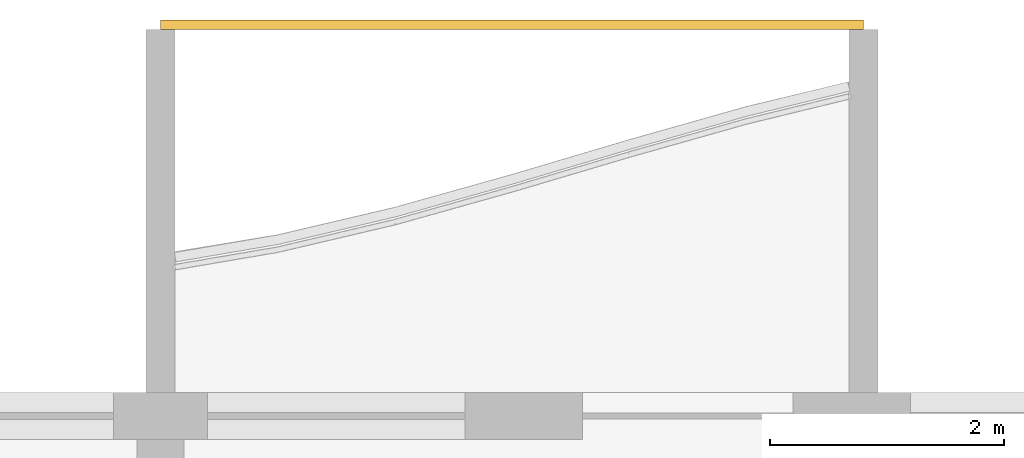
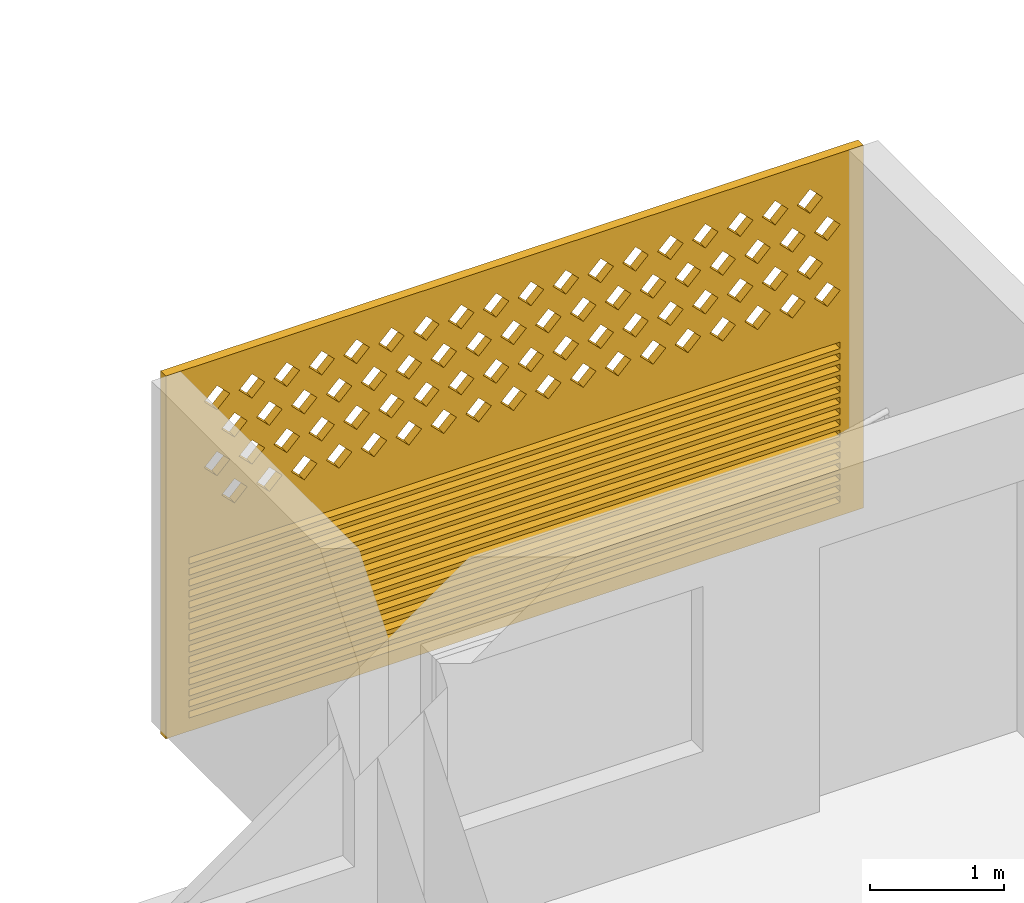
# One storey, part 27 of 40: 1 covering.
"""IFC4 building model written with IfcOpenShell, lengths in metres."""

from ifc_helpers import new_model, si_unit, direction, frame, origin, place, context, subcontext, project, spatial, polyline, outline, extrude, source, transform, mapped, material, material_profile, profile_set, type_object, element, save


model = new_model("IFC4")

# Units and contexts
model_context = context("Model", 3, precision=1e-05, world=origin(), true_north=direction((0.0, 1.0)))
body_context = subcontext(model_context, "Body", "Model", "MODEL_VIEW")
ifc_project = project(units=[si_unit("LENGTHUNIT", "METRE"), si_unit("AREAUNIT", "SQUARE_METRE"), si_unit("VOLUMEUNIT", "CUBIC_METRE"), si_unit("PLANEANGLEUNIT", "RADIAN"), si_unit("MASSUNIT", "GRAM", prefix="KILO")], contexts=[model_context])

# Site, building, storey
site_placement = place(None, origin())
site = spatial("IfcSite", under=ifc_project, at=site_placement, CompositionType="ELEMENT")
building_placement = place(site_placement, origin())
building = spatial("IfcBuilding", under=site, at=building_placement, Name="Poui Terraces", CompositionType="ELEMENT")
storey_placement = place(building_placement, frame((0.0, 0.0, 39.89990234375)))
storey = spatial("IfcBuildingStorey", under=building, at=storey_placement, Name="L10", CompositionType="ELEMENT", Elevation=39.89990234375)

# Covering
ifc_material = material(Name="Terracotta screen", Category="masonry")
ifc_material_profile = material_profile(ifc_material, outline(polyline([(-3.0, -1.64990234375), (3.0, -1.64990234375), (3.0, 1.64990234375), (-3.0, 1.64990234375), (-3.0, -1.64990234375)]), holes=[polyline([(-2.800048828125, 0.39990234375), (-2.68994140625, 0.2900390625), (-2.580078125, 0.39990234375), (-2.68994140625, 0.510009765625), (-2.800048828125, 0.39990234375)]), polyline([(-2.5, 0.39990234375), (-2.389892578125, 0.2900390625), (-2.280029296875, 0.39990234375), (-2.389892578125, 0.510009765625), (-2.5, 0.39990234375)]), polyline([(-2.199951171875, 0.39990234375), (-2.090087890625, 0.2900390625), (-1.97998046875, 0.39990234375), (-2.090087890625, 0.510009765625), (-2.199951171875, 0.39990234375)]), polyline([(-1.89990234375, 0.39990234375), (-1.7900390625, 0.2900390625), (-1.679931640625, 0.39990234375), (-1.7900390625, 0.510009765625), (-1.89990234375, 0.39990234375)]), polyline([(-1.60009765625, 0.39990234375), (-1.489990234375, 0.2900390625), (-1.3798828125, 0.39990234375), (-1.489990234375, 0.510009765625), (-1.60009765625, 0.39990234375)]), polyline([(-1.300048828125, 0.39990234375), (-1.18994140625, 0.2900390625), (-1.080078125, 0.39990234375), (-1.18994140625, 0.510009765625), (-1.300048828125, 0.39990234375)]), polyline([(-1.0, 0.39990234375), (-0.889892578125, 0.2900390625), (-0.780029296875, 0.39990234375), (-0.889892578125, 0.510009765625), (-1.0, 0.39990234375)]), polyline([(-0.699951171875, 0.39990234375), (-0.590087890625, 0.2900390625), (-0.47998046875, 0.39990234375), (-0.590087890625, 0.510009765625), (-0.699951171875, 0.39990234375)]), polyline([(-0.39990234375, 0.39990234375), (-0.2900390625, 0.2900390625), (-0.179931640625, 0.39990234375), (-0.2900390625, 0.510009765625), (-0.39990234375, 0.39990234375)]), polyline([(-0.10009765625, 0.39990234375), (0.010009765625, 0.2900390625), (0.1201171875, 0.39990234375), (0.010009765625, 0.510009765625), (-0.10009765625, 0.39990234375)]), polyline([(0.199951171875, 0.39990234375), (0.31005859375, 0.2900390625), (0.419921875, 0.39990234375), (0.31005859375, 0.510009765625), (0.199951171875, 0.39990234375)]), polyline([(0.5, 0.39990234375), (0.610107421875, 0.2900390625), (0.719970703125, 0.39990234375), (0.610107421875, 0.510009765625), (0.5, 0.39990234375)]), polyline([(0.800048828125, 0.39990234375), (0.909912109375, 0.2900390625), (1.02001953125, 0.39990234375), (0.909912109375, 0.510009765625), (0.800048828125, 0.39990234375)]), polyline([(1.10009765625, 0.39990234375), (1.2099609375, 0.2900390625), (1.320068359375, 0.39990234375), (1.2099609375, 0.510009765625), (1.10009765625, 0.39990234375)]), polyline([(1.39990234375, 0.39990234375), (1.510009765625, 0.2900390625), (1.6201171875, 0.39990234375), (1.510009765625, 0.510009765625), (1.39990234375, 0.39990234375)]), polyline([(1.699951171875, 0.39990234375), (1.81005859375, 0.2900390625), (1.919921875, 0.39990234375), (1.81005859375, 0.510009765625), (1.699951171875, 0.39990234375)]), polyline([(2.0, 0.39990234375), (2.110107421875, 0.2900390625), (2.219970703125, 0.39990234375), (2.110107421875, 0.510009765625), (2.0, 0.39990234375)]), polyline([(2.300048828125, 0.39990234375), (2.409912109375, 0.2900390625), (2.52001953125, 0.39990234375), (2.409912109375, 0.510009765625), (2.300048828125, 0.39990234375)]), polyline([(-2.64990234375, 0.699951171875), (-2.5400390625, 0.590087890625), (-2.429931640625, 0.699951171875), (-2.5400390625, 0.81005859375), (-2.64990234375, 0.699951171875)]), polyline([(-2.35009765625, 0.699951171875), (-2.239990234375, 0.590087890625), (-2.1298828125, 0.699951171875), (-2.239990234375, 0.81005859375), (-2.35009765625, 0.699951171875)]), polyline([(-2.050048828125, 0.699951171875), (-1.93994140625, 0.590087890625), (-1.830078125, 0.699951171875), (-1.93994140625, 0.81005859375), (-2.050048828125, 0.699951171875)]), polyline([(-1.75, 0.699951171875), (-1.639892578125, 0.590087890625), (-1.530029296875, 0.699951171875), (-1.639892578125, 0.81005859375), (-1.75, 0.699951171875)]), polyline([(-1.449951171875, 0.699951171875), (-1.340087890625, 0.590087890625), (-1.22998046875, 0.699951171875), (-1.340087890625, 0.81005859375), (-1.449951171875, 0.699951171875)]), polyline([(-1.14990234375, 0.699951171875), (-1.0400390625, 0.590087890625), (-0.929931640625, 0.699951171875), (-1.0400390625, 0.81005859375), (-1.14990234375, 0.699951171875)]), polyline([(-0.85009765625, 0.699951171875), (-0.739990234375, 0.590087890625), (-0.6298828125, 0.699951171875), (-0.739990234375, 0.81005859375), (-0.85009765625, 0.699951171875)]), polyline([(-0.550048828125, 0.699951171875), (-0.43994140625, 0.590087890625), (-0.330078125, 0.699951171875), (-0.43994140625, 0.81005859375), (-0.550048828125, 0.699951171875)]), polyline([(-0.25, 0.699951171875), (-0.139892578125, 0.590087890625), (-0.030029296875, 0.699951171875), (-0.139892578125, 0.81005859375), (-0.25, 0.699951171875)]), polyline([(0.050048828125, 0.699951171875), (0.159912109375, 0.590087890625), (0.27001953125, 0.699951171875), (0.159912109375, 0.81005859375), (0.050048828125, 0.699951171875)]), polyline([(0.35009765625, 0.699951171875), (0.4599609375, 0.590087890625), (0.570068359375, 0.699951171875), (0.4599609375, 0.81005859375), (0.35009765625, 0.699951171875)]), polyline([(0.64990234375, 0.699951171875), (0.760009765625, 0.590087890625), (0.8701171875, 0.699951171875), (0.760009765625, 0.81005859375), (0.64990234375, 0.699951171875)]), polyline([(0.949951171875, 0.699951171875), (1.06005859375, 0.590087890625), (1.169921875, 0.699951171875), (1.06005859375, 0.81005859375), (0.949951171875, 0.699951171875)]), polyline([(1.25, 0.699951171875), (1.360107421875, 0.590087890625), (1.469970703125, 0.699951171875), (1.360107421875, 0.81005859375), (1.25, 0.699951171875)]), polyline([(1.550048828125, 0.699951171875), (1.659912109375, 0.590087890625), (1.77001953125, 0.699951171875), (1.659912109375, 0.81005859375), (1.550048828125, 0.699951171875)]), polyline([(1.85009765625, 0.699951171875), (1.9599609375, 0.590087890625), (2.070068359375, 0.699951171875), (1.9599609375, 0.81005859375), (1.85009765625, 0.699951171875)]), polyline([(2.14990234375, 0.699951171875), (2.260009765625, 0.590087890625), (2.3701171875, 0.699951171875), (2.260009765625, 0.81005859375), (2.14990234375, 0.699951171875)]), polyline([(2.449951171875, 0.699951171875), (2.56005859375, 0.590087890625), (2.669921875, 0.699951171875), (2.56005859375, 0.81005859375), (2.449951171875, 0.699951171875)]), polyline([(-2.800048828125, 1.0), (-2.68994140625, 0.889892578125), (-2.580078125, 1.0), (-2.68994140625, 1.110107421875), (-2.800048828125, 1.0)]), polyline([(-2.5, 1.0), (-2.389892578125, 0.889892578125), (-2.280029296875, 1.0), (-2.389892578125, 1.110107421875), (-2.5, 1.0)]), polyline([(-2.199951171875, 1.0), (-2.090087890625, 0.889892578125), (-1.97998046875, 1.0), (-2.090087890625, 1.110107421875), (-2.199951171875, 1.0)]), polyline([(-1.89990234375, 1.0), (-1.7900390625, 0.889892578125), (-1.679931640625, 1.0), (-1.7900390625, 1.110107421875), (-1.89990234375, 1.0)]), polyline([(-1.60009765625, 1.0), (-1.489990234375, 0.889892578125), (-1.3798828125, 1.0), (-1.489990234375, 1.110107421875), (-1.60009765625, 1.0)]), polyline([(-1.300048828125, 1.0), (-1.18994140625, 0.889892578125), (-1.080078125, 1.0), (-1.18994140625, 1.110107421875), (-1.300048828125, 1.0)]), polyline([(-1.0, 1.0), (-0.889892578125, 0.889892578125), (-0.780029296875, 1.0), (-0.889892578125, 1.110107421875), (-1.0, 1.0)]), polyline([(-0.699951171875, 1.0), (-0.590087890625, 0.889892578125), (-0.47998046875, 1.0), (-0.590087890625, 1.110107421875), (-0.699951171875, 1.0)]), polyline([(-0.39990234375, 1.0), (-0.2900390625, 0.889892578125), (-0.179931640625, 1.0), (-0.2900390625, 1.110107421875), (-0.39990234375, 1.0)]), polyline([(-0.10009765625, 1.0), (0.010009765625, 0.889892578125), (0.1201171875, 1.0), (0.010009765625, 1.110107421875), (-0.10009765625, 1.0)]), polyline([(0.199951171875, 1.0), (0.31005859375, 0.889892578125), (0.419921875, 1.0), (0.31005859375, 1.110107421875), (0.199951171875, 1.0)]), polyline([(0.5, 1.0), (0.610107421875, 0.889892578125), (0.719970703125, 1.0), (0.610107421875, 1.110107421875), (0.5, 1.0)]), polyline([(0.800048828125, 1.0), (0.909912109375, 0.889892578125), (1.02001953125, 1.0), (0.909912109375, 1.110107421875), (0.800048828125, 1.0)]), polyline([(1.10009765625, 1.0), (1.2099609375, 0.889892578125), (1.320068359375, 1.0), (1.2099609375, 1.110107421875), (1.10009765625, 1.0)]), polyline([(1.39990234375, 1.0), (1.510009765625, 0.889892578125), (1.6201171875, 1.0), (1.510009765625, 1.110107421875), (1.39990234375, 1.0)]), polyline([(1.699951171875, 1.0), (1.81005859375, 0.889892578125), (1.919921875, 1.0), (1.81005859375, 1.110107421875), (1.699951171875, 1.0)]), polyline([(2.0, 1.0), (2.110107421875, 0.889892578125), (2.219970703125, 1.0), (2.110107421875, 1.110107421875), (2.0, 1.0)]), polyline([(2.300048828125, 1.0), (2.409912109375, 0.889892578125), (2.52001953125, 1.0), (2.409912109375, 1.110107421875), (2.300048828125, 1.0)]), polyline([(-2.64990234375, 1.300048828125), (-2.5400390625, 1.18994140625), (-2.429931640625, 1.300048828125), (-2.5400390625, 1.409912109375), (-2.64990234375, 1.300048828125)]), polyline([(-2.35009765625, 1.300048828125), (-2.239990234375, 1.18994140625), (-2.1298828125, 1.300048828125), (-2.239990234375, 1.409912109375), (-2.35009765625, 1.300048828125)]), polyline([(-2.050048828125, 1.300048828125), (-1.93994140625, 1.18994140625), (-1.830078125, 1.300048828125), (-1.93994140625, 1.409912109375), (-2.050048828125, 1.300048828125)]), polyline([(-1.75, 1.300048828125), (-1.639892578125, 1.18994140625), (-1.530029296875, 1.300048828125), (-1.639892578125, 1.409912109375), (-1.75, 1.300048828125)]), polyline([(-1.449951171875, 1.300048828125), (-1.340087890625, 1.18994140625), (-1.22998046875, 1.300048828125), (-1.340087890625, 1.409912109375), (-1.449951171875, 1.300048828125)]), polyline([(-1.14990234375, 1.300048828125), (-1.0400390625, 1.18994140625), (-0.929931640625, 1.300048828125), (-1.0400390625, 1.409912109375), (-1.14990234375, 1.300048828125)]), polyline([(-0.85009765625, 1.300048828125), (-0.739990234375, 1.18994140625), (-0.6298828125, 1.300048828125), (-0.739990234375, 1.409912109375), (-0.85009765625, 1.300048828125)]), polyline([(-0.550048828125, 1.300048828125), (-0.43994140625, 1.18994140625), (-0.330078125, 1.300048828125), (-0.43994140625, 1.409912109375), (-0.550048828125, 1.300048828125)]), polyline([(-0.25, 1.300048828125), (-0.139892578125, 1.18994140625), (-0.030029296875, 1.300048828125), (-0.139892578125, 1.409912109375), (-0.25, 1.300048828125)]), polyline([(0.050048828125, 1.300048828125), (0.159912109375, 1.18994140625), (0.27001953125, 1.300048828125), (0.159912109375, 1.409912109375), (0.050048828125, 1.300048828125)]), polyline([(0.35009765625, 1.300048828125), (0.4599609375, 1.18994140625), (0.570068359375, 1.300048828125), (0.4599609375, 1.409912109375), (0.35009765625, 1.300048828125)]), polyline([(0.64990234375, 1.300048828125), (0.760009765625, 1.18994140625), (0.8701171875, 1.300048828125), (0.760009765625, 1.409912109375), (0.64990234375, 1.300048828125)]), polyline([(0.949951171875, 1.300048828125), (1.06005859375, 1.18994140625), (1.169921875, 1.300048828125), (1.06005859375, 1.409912109375), (0.949951171875, 1.300048828125)]), polyline([(1.25, 1.300048828125), (1.360107421875, 1.18994140625), (1.469970703125, 1.300048828125), (1.360107421875, 1.409912109375), (1.25, 1.300048828125)]), polyline([(1.550048828125, 1.300048828125), (1.659912109375, 1.18994140625), (1.77001953125, 1.300048828125), (1.659912109375, 1.409912109375), (1.550048828125, 1.300048828125)]), polyline([(1.85009765625, 1.300048828125), (1.9599609375, 1.18994140625), (2.070068359375, 1.300048828125), (1.9599609375, 1.409912109375), (1.85009765625, 1.300048828125)]), polyline([(2.14990234375, 1.300048828125), (2.260009765625, 1.18994140625), (2.3701171875, 1.300048828125), (2.260009765625, 1.409912109375), (2.14990234375, 1.300048828125)]), polyline([(2.449951171875, 1.300048828125), (2.56005859375, 1.18994140625), (2.669921875, 1.300048828125), (2.56005859375, 1.409912109375), (2.449951171875, 1.300048828125)]), polyline([(-2.800048828125, -1.530029296875), (2.800048828125, -1.530029296875), (2.800048828125, -1.469970703125), (-2.800048828125, -1.469970703125), (-2.800048828125, -1.530029296875)]), polyline([(-2.800048828125, -1.429931640625), (2.800048828125, -1.429931640625), (2.800048828125, -1.3701171875), (-2.800048828125, -1.3701171875), (-2.800048828125, -1.429931640625)]), polyline([(-2.800048828125, -1.330078125), (2.800048828125, -1.330078125), (2.800048828125, -1.27001953125), (-2.800048828125, -1.27001953125), (-2.800048828125, -1.330078125)]), polyline([(-2.800048828125, -1.22998046875), (2.800048828125, -1.22998046875), (2.800048828125, -1.169921875), (-2.800048828125, -1.169921875), (-2.800048828125, -1.22998046875)]), polyline([(-2.800048828125, -1.1298828125), (2.800048828125, -1.1298828125), (2.800048828125, -1.070068359375), (-2.800048828125, -1.070068359375), (-2.800048828125, -1.1298828125)]), polyline([(-2.800048828125, -1.030029296875), (2.800048828125, -1.030029296875), (2.800048828125, -0.969970703125), (-2.800048828125, -0.969970703125), (-2.800048828125, -1.030029296875)]), polyline([(-2.800048828125, -0.929931640625), (2.800048828125, -0.929931640625), (2.800048828125, -0.8701171875), (-2.800048828125, -0.8701171875), (-2.800048828125, -0.929931640625)]), polyline([(-2.800048828125, -0.830078125), (2.800048828125, -0.830078125), (2.800048828125, -0.77001953125), (-2.800048828125, -0.77001953125), (-2.800048828125, -0.830078125)]), polyline([(-2.800048828125, -0.72998046875), (2.800048828125, -0.72998046875), (2.800048828125, -0.669921875), (-2.800048828125, -0.669921875), (-2.800048828125, -0.72998046875)]), polyline([(-2.800048828125, -0.6298828125), (2.800048828125, -0.6298828125), (2.800048828125, -0.570068359375), (-2.800048828125, -0.570068359375), (-2.800048828125, -0.6298828125)]), polyline([(-2.800048828125, -0.530029296875), (2.800048828125, -0.530029296875), (2.800048828125, -0.469970703125), (-2.800048828125, -0.469970703125), (-2.800048828125, -0.530029296875)]), polyline([(-2.800048828125, -0.429931640625), (2.800048828125, -0.429931640625), (2.800048828125, -0.3701171875), (-2.800048828125, -0.3701171875), (-2.800048828125, -0.429931640625)]), polyline([(-2.800048828125, -0.330078125), (2.800048828125, -0.330078125), (2.800048828125, -0.27001953125), (-2.800048828125, -0.27001953125), (-2.800048828125, -0.330078125)]), polyline([(-2.800048828125, -0.22998046875), (2.800048828125, -0.22998046875), (2.800048828125, -0.169921875), (-2.800048828125, -0.169921875), (-2.800048828125, -0.22998046875)]), polyline([(-2.800048828125, -0.1298828125), (2.800048828125, -0.1298828125), (2.800048828125, -0.070068359375), (-2.800048828125, -0.070068359375), (-2.800048828125, -0.1298828125)])]), Name="TERRACOTTA SCREEN AND JALOUSIE LOUVRE 6000X3300")
ifc_profile_set = profile_set([ifc_material_profile], Name="Terracotta screen")
covering_type = type_object("IfcCoveringType", Name="TERRACOTTA SCREEN AND JALOUSIE LOUVRE 6000X3300", PredefinedType="CLADDING", material=ifc_profile_set)
shared_shape = source(origin(), body_context, "Body", "SweptSolid", [
    extrude(outline(polyline([(-3.0, -1.64990234375), (3.0, -1.64990234375), (3.0, 1.64990234375), (-3.0, 1.64990234375), (-3.0, -1.64990234375)]), holes=[polyline([(-2.800048828125, 0.39990234375), (-2.68994140625, 0.2900390625), (-2.580078125, 0.39990234375), (-2.68994140625, 0.510009765625), (-2.800048828125, 0.39990234375)]), polyline([(-2.5, 0.39990234375), (-2.389892578125, 0.2900390625), (-2.280029296875, 0.39990234375), (-2.389892578125, 0.510009765625), (-2.5, 0.39990234375)]), polyline([(-2.199951171875, 0.39990234375), (-2.090087890625, 0.2900390625), (-1.97998046875, 0.39990234375), (-2.090087890625, 0.510009765625), (-2.199951171875, 0.39990234375)]), polyline([(-1.89990234375, 0.39990234375), (-1.7900390625, 0.2900390625), (-1.679931640625, 0.39990234375), (-1.7900390625, 0.510009765625), (-1.89990234375, 0.39990234375)]), polyline([(-1.60009765625, 0.39990234375), (-1.489990234375, 0.2900390625), (-1.3798828125, 0.39990234375), (-1.489990234375, 0.510009765625), (-1.60009765625, 0.39990234375)]), polyline([(-1.300048828125, 0.39990234375), (-1.18994140625, 0.2900390625), (-1.080078125, 0.39990234375), (-1.18994140625, 0.510009765625), (-1.300048828125, 0.39990234375)]), polyline([(-1.0, 0.39990234375), (-0.889892578125, 0.2900390625), (-0.780029296875, 0.39990234375), (-0.889892578125, 0.510009765625), (-1.0, 0.39990234375)]), polyline([(-0.699951171875, 0.39990234375), (-0.590087890625, 0.2900390625), (-0.47998046875, 0.39990234375), (-0.590087890625, 0.510009765625), (-0.699951171875, 0.39990234375)]), polyline([(-0.39990234375, 0.39990234375), (-0.2900390625, 0.2900390625), (-0.179931640625, 0.39990234375), (-0.2900390625, 0.510009765625), (-0.39990234375, 0.39990234375)]), polyline([(-0.10009765625, 0.39990234375), (0.010009765625, 0.2900390625), (0.1201171875, 0.39990234375), (0.010009765625, 0.510009765625), (-0.10009765625, 0.39990234375)]), polyline([(0.199951171875, 0.39990234375), (0.31005859375, 0.2900390625), (0.419921875, 0.39990234375), (0.31005859375, 0.510009765625), (0.199951171875, 0.39990234375)]), polyline([(0.5, 0.39990234375), (0.610107421875, 0.2900390625), (0.719970703125, 0.39990234375), (0.610107421875, 0.510009765625), (0.5, 0.39990234375)]), polyline([(0.800048828125, 0.39990234375), (0.909912109375, 0.2900390625), (1.02001953125, 0.39990234375), (0.909912109375, 0.510009765625), (0.800048828125, 0.39990234375)]), polyline([(1.10009765625, 0.39990234375), (1.2099609375, 0.2900390625), (1.320068359375, 0.39990234375), (1.2099609375, 0.510009765625), (1.10009765625, 0.39990234375)]), polyline([(1.39990234375, 0.39990234375), (1.510009765625, 0.2900390625), (1.6201171875, 0.39990234375), (1.510009765625, 0.510009765625), (1.39990234375, 0.39990234375)]), polyline([(1.699951171875, 0.39990234375), (1.81005859375, 0.2900390625), (1.919921875, 0.39990234375), (1.81005859375, 0.510009765625), (1.699951171875, 0.39990234375)]), polyline([(2.0, 0.39990234375), (2.110107421875, 0.2900390625), (2.219970703125, 0.39990234375), (2.110107421875, 0.510009765625), (2.0, 0.39990234375)]), polyline([(2.300048828125, 0.39990234375), (2.409912109375, 0.2900390625), (2.52001953125, 0.39990234375), (2.409912109375, 0.510009765625), (2.300048828125, 0.39990234375)]), polyline([(-2.64990234375, 0.699951171875), (-2.5400390625, 0.590087890625), (-2.429931640625, 0.699951171875), (-2.5400390625, 0.81005859375), (-2.64990234375, 0.699951171875)]), polyline([(-2.35009765625, 0.699951171875), (-2.239990234375, 0.590087890625), (-2.1298828125, 0.699951171875), (-2.239990234375, 0.81005859375), (-2.35009765625, 0.699951171875)]), polyline([(-2.050048828125, 0.699951171875), (-1.93994140625, 0.590087890625), (-1.830078125, 0.699951171875), (-1.93994140625, 0.81005859375), (-2.050048828125, 0.699951171875)]), polyline([(-1.75, 0.699951171875), (-1.639892578125, 0.590087890625), (-1.530029296875, 0.699951171875), (-1.639892578125, 0.81005859375), (-1.75, 0.699951171875)]), polyline([(-1.449951171875, 0.699951171875), (-1.340087890625, 0.590087890625), (-1.22998046875, 0.699951171875), (-1.340087890625, 0.81005859375), (-1.449951171875, 0.699951171875)]), polyline([(-1.14990234375, 0.699951171875), (-1.0400390625, 0.590087890625), (-0.929931640625, 0.699951171875), (-1.0400390625, 0.81005859375), (-1.14990234375, 0.699951171875)]), polyline([(-0.85009765625, 0.699951171875), (-0.739990234375, 0.590087890625), (-0.6298828125, 0.699951171875), (-0.739990234375, 0.81005859375), (-0.85009765625, 0.699951171875)]), polyline([(-0.550048828125, 0.699951171875), (-0.43994140625, 0.590087890625), (-0.330078125, 0.699951171875), (-0.43994140625, 0.81005859375), (-0.550048828125, 0.699951171875)]), polyline([(-0.25, 0.699951171875), (-0.139892578125, 0.590087890625), (-0.030029296875, 0.699951171875), (-0.139892578125, 0.81005859375), (-0.25, 0.699951171875)]), polyline([(0.050048828125, 0.699951171875), (0.159912109375, 0.590087890625), (0.27001953125, 0.699951171875), (0.159912109375, 0.81005859375), (0.050048828125, 0.699951171875)]), polyline([(0.35009765625, 0.699951171875), (0.4599609375, 0.590087890625), (0.570068359375, 0.699951171875), (0.4599609375, 0.81005859375), (0.35009765625, 0.699951171875)]), polyline([(0.64990234375, 0.699951171875), (0.760009765625, 0.590087890625), (0.8701171875, 0.699951171875), (0.760009765625, 0.81005859375), (0.64990234375, 0.699951171875)]), polyline([(0.949951171875, 0.699951171875), (1.06005859375, 0.590087890625), (1.169921875, 0.699951171875), (1.06005859375, 0.81005859375), (0.949951171875, 0.699951171875)]), polyline([(1.25, 0.699951171875), (1.360107421875, 0.590087890625), (1.469970703125, 0.699951171875), (1.360107421875, 0.81005859375), (1.25, 0.699951171875)]), polyline([(1.550048828125, 0.699951171875), (1.659912109375, 0.590087890625), (1.77001953125, 0.699951171875), (1.659912109375, 0.81005859375), (1.550048828125, 0.699951171875)]), polyline([(1.85009765625, 0.699951171875), (1.9599609375, 0.590087890625), (2.070068359375, 0.699951171875), (1.9599609375, 0.81005859375), (1.85009765625, 0.699951171875)]), polyline([(2.14990234375, 0.699951171875), (2.260009765625, 0.590087890625), (2.3701171875, 0.699951171875), (2.260009765625, 0.81005859375), (2.14990234375, 0.699951171875)]), polyline([(2.449951171875, 0.699951171875), (2.56005859375, 0.590087890625), (2.669921875, 0.699951171875), (2.56005859375, 0.81005859375), (2.449951171875, 0.699951171875)]), polyline([(-2.800048828125, 1.0), (-2.68994140625, 0.889892578125), (-2.580078125, 1.0), (-2.68994140625, 1.110107421875), (-2.800048828125, 1.0)]), polyline([(-2.5, 1.0), (-2.389892578125, 0.889892578125), (-2.280029296875, 1.0), (-2.389892578125, 1.110107421875), (-2.5, 1.0)]), polyline([(-2.199951171875, 1.0), (-2.090087890625, 0.889892578125), (-1.97998046875, 1.0), (-2.090087890625, 1.110107421875), (-2.199951171875, 1.0)]), polyline([(-1.89990234375, 1.0), (-1.7900390625, 0.889892578125), (-1.679931640625, 1.0), (-1.7900390625, 1.110107421875), (-1.89990234375, 1.0)]), polyline([(-1.60009765625, 1.0), (-1.489990234375, 0.889892578125), (-1.3798828125, 1.0), (-1.489990234375, 1.110107421875), (-1.60009765625, 1.0)]), polyline([(-1.300048828125, 1.0), (-1.18994140625, 0.889892578125), (-1.080078125, 1.0), (-1.18994140625, 1.110107421875), (-1.300048828125, 1.0)]), polyline([(-1.0, 1.0), (-0.889892578125, 0.889892578125), (-0.780029296875, 1.0), (-0.889892578125, 1.110107421875), (-1.0, 1.0)]), polyline([(-0.699951171875, 1.0), (-0.590087890625, 0.889892578125), (-0.47998046875, 1.0), (-0.590087890625, 1.110107421875), (-0.699951171875, 1.0)]), polyline([(-0.39990234375, 1.0), (-0.2900390625, 0.889892578125), (-0.179931640625, 1.0), (-0.2900390625, 1.110107421875), (-0.39990234375, 1.0)]), polyline([(-0.10009765625, 1.0), (0.010009765625, 0.889892578125), (0.1201171875, 1.0), (0.010009765625, 1.110107421875), (-0.10009765625, 1.0)]), polyline([(0.199951171875, 1.0), (0.31005859375, 0.889892578125), (0.419921875, 1.0), (0.31005859375, 1.110107421875), (0.199951171875, 1.0)]), polyline([(0.5, 1.0), (0.610107421875, 0.889892578125), (0.719970703125, 1.0), (0.610107421875, 1.110107421875), (0.5, 1.0)]), polyline([(0.800048828125, 1.0), (0.909912109375, 0.889892578125), (1.02001953125, 1.0), (0.909912109375, 1.110107421875), (0.800048828125, 1.0)]), polyline([(1.10009765625, 1.0), (1.2099609375, 0.889892578125), (1.320068359375, 1.0), (1.2099609375, 1.110107421875), (1.10009765625, 1.0)]), polyline([(1.39990234375, 1.0), (1.510009765625, 0.889892578125), (1.6201171875, 1.0), (1.510009765625, 1.110107421875), (1.39990234375, 1.0)]), polyline([(1.699951171875, 1.0), (1.81005859375, 0.889892578125), (1.919921875, 1.0), (1.81005859375, 1.110107421875), (1.699951171875, 1.0)]), polyline([(2.0, 1.0), (2.110107421875, 0.889892578125), (2.219970703125, 1.0), (2.110107421875, 1.110107421875), (2.0, 1.0)]), polyline([(2.300048828125, 1.0), (2.409912109375, 0.889892578125), (2.52001953125, 1.0), (2.409912109375, 1.110107421875), (2.300048828125, 1.0)]), polyline([(-2.64990234375, 1.300048828125), (-2.5400390625, 1.18994140625), (-2.429931640625, 1.300048828125), (-2.5400390625, 1.409912109375), (-2.64990234375, 1.300048828125)]), polyline([(-2.35009765625, 1.300048828125), (-2.239990234375, 1.18994140625), (-2.1298828125, 1.300048828125), (-2.239990234375, 1.409912109375), (-2.35009765625, 1.300048828125)]), polyline([(-2.050048828125, 1.300048828125), (-1.93994140625, 1.18994140625), (-1.830078125, 1.300048828125), (-1.93994140625, 1.409912109375), (-2.050048828125, 1.300048828125)]), polyline([(-1.75, 1.300048828125), (-1.639892578125, 1.18994140625), (-1.530029296875, 1.300048828125), (-1.639892578125, 1.409912109375), (-1.75, 1.300048828125)]), polyline([(-1.449951171875, 1.300048828125), (-1.340087890625, 1.18994140625), (-1.22998046875, 1.300048828125), (-1.340087890625, 1.409912109375), (-1.449951171875, 1.300048828125)]), polyline([(-1.14990234375, 1.300048828125), (-1.0400390625, 1.18994140625), (-0.929931640625, 1.300048828125), (-1.0400390625, 1.409912109375), (-1.14990234375, 1.300048828125)]), polyline([(-0.85009765625, 1.300048828125), (-0.739990234375, 1.18994140625), (-0.6298828125, 1.300048828125), (-0.739990234375, 1.409912109375), (-0.85009765625, 1.300048828125)]), polyline([(-0.550048828125, 1.300048828125), (-0.43994140625, 1.18994140625), (-0.330078125, 1.300048828125), (-0.43994140625, 1.409912109375), (-0.550048828125, 1.300048828125)]), polyline([(-0.25, 1.300048828125), (-0.139892578125, 1.18994140625), (-0.030029296875, 1.300048828125), (-0.139892578125, 1.409912109375), (-0.25, 1.300048828125)]), polyline([(0.050048828125, 1.300048828125), (0.159912109375, 1.18994140625), (0.27001953125, 1.300048828125), (0.159912109375, 1.409912109375), (0.050048828125, 1.300048828125)]), polyline([(0.35009765625, 1.300048828125), (0.4599609375, 1.18994140625), (0.570068359375, 1.300048828125), (0.4599609375, 1.409912109375), (0.35009765625, 1.300048828125)]), polyline([(0.64990234375, 1.300048828125), (0.760009765625, 1.18994140625), (0.8701171875, 1.300048828125), (0.760009765625, 1.409912109375), (0.64990234375, 1.300048828125)]), polyline([(0.949951171875, 1.300048828125), (1.06005859375, 1.18994140625), (1.169921875, 1.300048828125), (1.06005859375, 1.409912109375), (0.949951171875, 1.300048828125)]), polyline([(1.25, 1.300048828125), (1.360107421875, 1.18994140625), (1.469970703125, 1.300048828125), (1.360107421875, 1.409912109375), (1.25, 1.300048828125)]), polyline([(1.550048828125, 1.300048828125), (1.659912109375, 1.18994140625), (1.77001953125, 1.300048828125), (1.659912109375, 1.409912109375), (1.550048828125, 1.300048828125)]), polyline([(1.85009765625, 1.300048828125), (1.9599609375, 1.18994140625), (2.070068359375, 1.300048828125), (1.9599609375, 1.409912109375), (1.85009765625, 1.300048828125)]), polyline([(2.14990234375, 1.300048828125), (2.260009765625, 1.18994140625), (2.3701171875, 1.300048828125), (2.260009765625, 1.409912109375), (2.14990234375, 1.300048828125)]), polyline([(2.449951171875, 1.300048828125), (2.56005859375, 1.18994140625), (2.669921875, 1.300048828125), (2.56005859375, 1.409912109375), (2.449951171875, 1.300048828125)]), polyline([(-2.800048828125, -1.530029296875), (2.800048828125, -1.530029296875), (2.800048828125, -1.469970703125), (-2.800048828125, -1.469970703125), (-2.800048828125, -1.530029296875)]), polyline([(-2.800048828125, -1.429931640625), (2.800048828125, -1.429931640625), (2.800048828125, -1.3701171875), (-2.800048828125, -1.3701171875), (-2.800048828125, -1.429931640625)]), polyline([(-2.800048828125, -1.330078125), (2.800048828125, -1.330078125), (2.800048828125, -1.27001953125), (-2.800048828125, -1.27001953125), (-2.800048828125, -1.330078125)]), polyline([(-2.800048828125, -1.22998046875), (2.800048828125, -1.22998046875), (2.800048828125, -1.169921875), (-2.800048828125, -1.169921875), (-2.800048828125, -1.22998046875)]), polyline([(-2.800048828125, -1.1298828125), (2.800048828125, -1.1298828125), (2.800048828125, -1.070068359375), (-2.800048828125, -1.070068359375), (-2.800048828125, -1.1298828125)]), polyline([(-2.800048828125, -1.030029296875), (2.800048828125, -1.030029296875), (2.800048828125, -0.969970703125), (-2.800048828125, -0.969970703125), (-2.800048828125, -1.030029296875)]), polyline([(-2.800048828125, -0.929931640625), (2.800048828125, -0.929931640625), (2.800048828125, -0.8701171875), (-2.800048828125, -0.8701171875), (-2.800048828125, -0.929931640625)]), polyline([(-2.800048828125, -0.830078125), (2.800048828125, -0.830078125), (2.800048828125, -0.77001953125), (-2.800048828125, -0.77001953125), (-2.800048828125, -0.830078125)]), polyline([(-2.800048828125, -0.72998046875), (2.800048828125, -0.72998046875), (2.800048828125, -0.669921875), (-2.800048828125, -0.669921875), (-2.800048828125, -0.72998046875)]), polyline([(-2.800048828125, -0.6298828125), (2.800048828125, -0.6298828125), (2.800048828125, -0.570068359375), (-2.800048828125, -0.570068359375), (-2.800048828125, -0.6298828125)]), polyline([(-2.800048828125, -0.530029296875), (2.800048828125, -0.530029296875), (2.800048828125, -0.469970703125), (-2.800048828125, -0.469970703125), (-2.800048828125, -0.530029296875)]), polyline([(-2.800048828125, -0.429931640625), (2.800048828125, -0.429931640625), (2.800048828125, -0.3701171875), (-2.800048828125, -0.3701171875), (-2.800048828125, -0.429931640625)]), polyline([(-2.800048828125, -0.330078125), (2.800048828125, -0.330078125), (2.800048828125, -0.27001953125), (-2.800048828125, -0.27001953125), (-2.800048828125, -0.330078125)]), polyline([(-2.800048828125, -0.22998046875), (2.800048828125, -0.22998046875), (2.800048828125, -0.169921875), (-2.800048828125, -0.169921875), (-2.800048828125, -0.22998046875)]), polyline([(-2.800048828125, -0.1298828125), (2.800048828125, -0.1298828125), (2.800048828125, -0.070068359375), (-2.800048828125, -0.070068359375), (-2.800048828125, -0.1298828125)])]), origin(), (0.0, 0.0, 1.0), 0.079833984375),
])
covering_placement = place(storey_placement, frame((39.0, 48.10009765625, 1.4501953125), z_axis=(0.0, 1.0, 0.0), x_axis=(-1.0, 0.0, 0.0)))
element("IfcCovering", 1, at=covering_placement, inside=storey, type_object=covering_type, Name="SOLAR SCREEN AND JALOUSIE LOUVRE", PredefinedType="CLADDING", context=body_context, shape_type="MappedRepresentation", body=[
    mapped(shared_shape, transform((0.0, 0.0, 0.0))),
])

save(model, "model.ifc")
